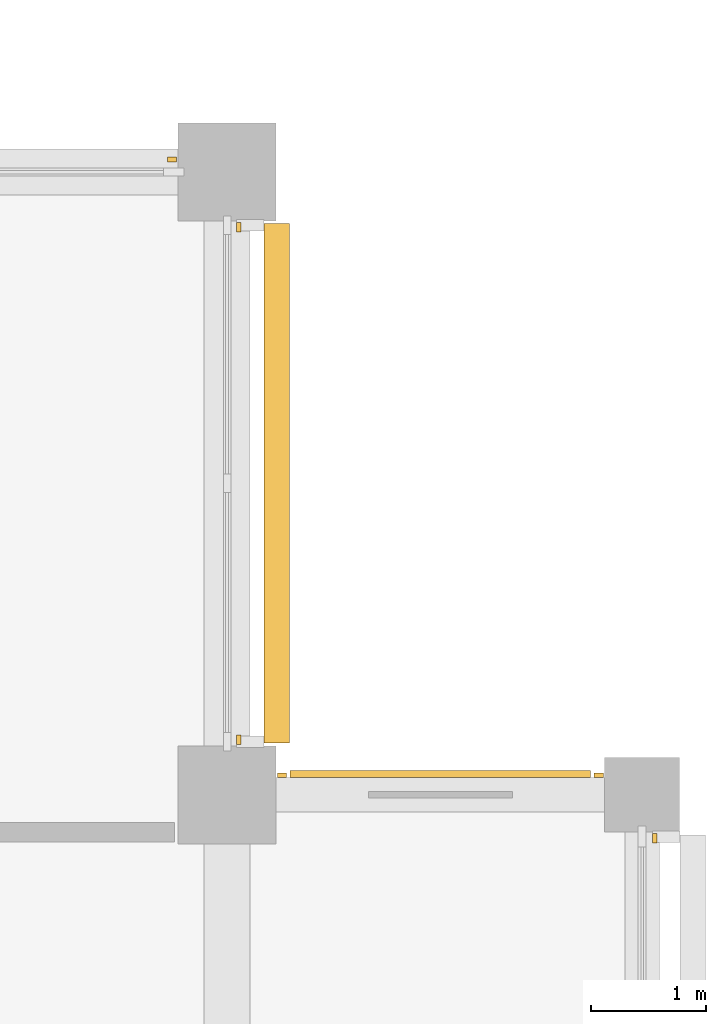
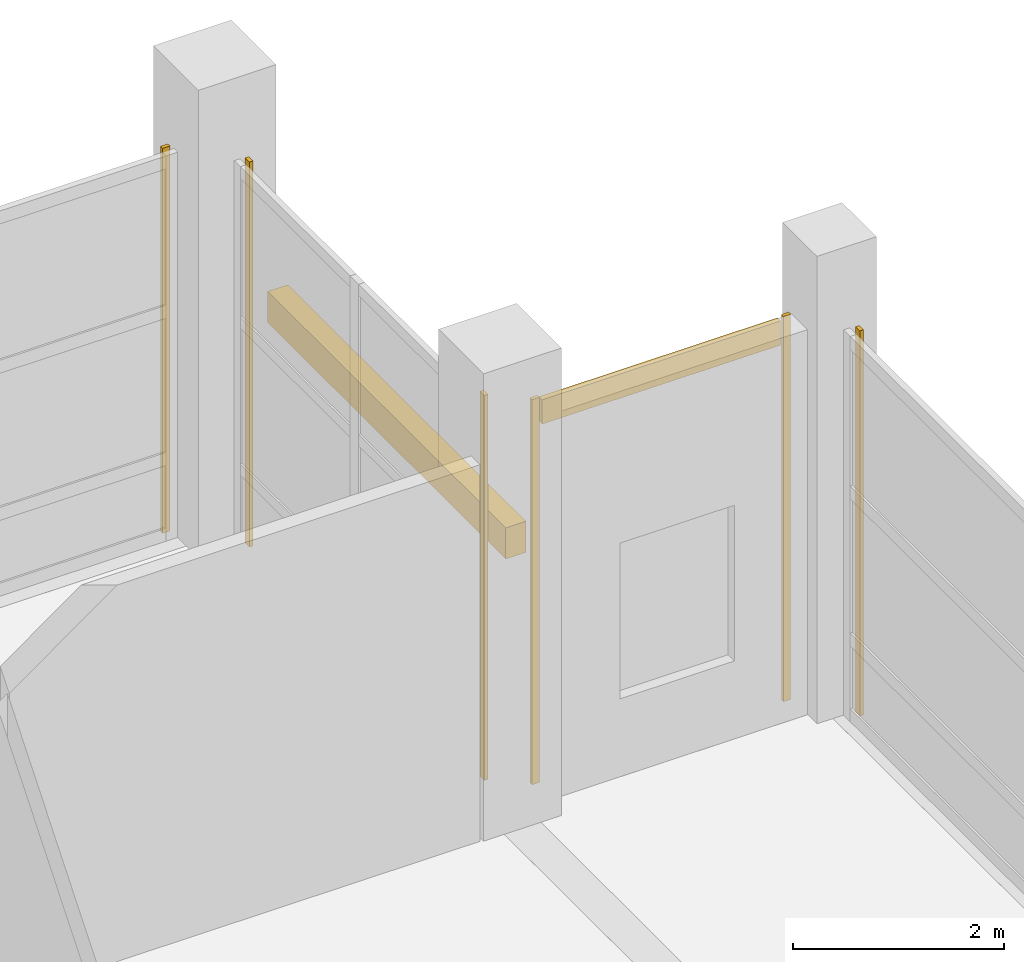
# One storey, part 139 of 140: 7 coverings, 1 shading device.
"""IFC4 building model written with IfcOpenShell, lengths in metres."""

import ifcopenshell
import ifcopenshell.guid

model = None  # the IFC model being written
_history = None  # IfcOwnerHistory: only IFC2X3 demands one
_inside = {}  # id of a spatial element -> (the spatial element, [elements in it])
_under = {}  # id of a project, library or spatial element -> (it, [spatial elements below it])
_declared = {}  # id of a project -> (the project, [libraries it declares])
_typed = {}  # id of a type object -> (the type object, [elements of that type])
_made_of = {}  # id of a material, layer set ... -> (it, [elements and type objects made of it])


def new_model(schema):
    """Start an empty IFC model of exactly this schema.

    Asked for "IFC4X3", IfcOpenShell would pick the latest addendum, in which some entities
    have other attributes; the version numbers below select the first issue.
    IFC2X3 requires an IfcOwnerHistory on every rooted entity: one is made here for all.
    """
    global model, _history
    if schema == "IFC4X3":
        model = ifcopenshell.file(schema_version=(4, 3, 0, 0))
    else:
        model = ifcopenshell.file(schema=schema)
    _inside.clear()
    _under.clear()
    _declared.clear()
    _typed.clear()
    _made_of.clear()
    _history = None
    if model.schema == "IFC2X3":
        org = make("IfcOrganization", Name="unknown")
        user = make(
            "IfcPersonAndOrganization",
            ThePerson=make("IfcPerson", FamilyName="unknown"),
            TheOrganization=org,
        )
        app = make(
            "IfcApplication",
            ApplicationDeveloper=org,
            Version="unknown",
            ApplicationFullName="unknown",
            ApplicationIdentifier="unknown",
        )
        _history = make(
            "IfcOwnerHistory",
            OwningUser=user,
            OwningApplication=app,
            ChangeAction="ADDED",
            CreationDate=0,
        )
    return model


def make(cls, **values):
    """One entity of the class cls with the attributes given. An attribute that is None is left unset."""
    return model.create_entity(
        cls, **{name: value for name, value in values.items() if value is not None}
    )


def rooted(cls, **values):
    """An entity with a GlobalId (a new one), such as an element, a storey or a relation."""
    return make(cls, GlobalId=ifcopenshell.guid.new(), OwnerHistory=_history, **values)


def si_unit(unit_type, name, prefix=None):
    """IfcSIUnit, for example si_unit("LENGTHUNIT", "METRE", prefix="MILLI")."""
    return make("IfcSIUnit", UnitType=unit_type, Prefix=prefix, Name=name)


def assignment(units):
    """IfcUnitAssignment: the units of a project."""
    return None if units is None else make("IfcUnitAssignment", Units=units)


def point(xyz):
    """IfcCartesianPoint."""
    return None if xyz is None else make("IfcCartesianPoint", Coordinates=xyz)


def direction(xyz):
    """IfcDirection."""
    return None if xyz is None else make("IfcDirection", DirectionRatios=xyz)


def frame(location, z_axis=None, x_axis=None):
    """IfcAxis2Placement3D, a coordinate frame: its origin and axes. An axis left out is left unset."""
    return make(
        "IfcAxis2Placement3D",
        Location=point(location),
        Axis=direction(z_axis),
        RefDirection=direction(x_axis),
    )


def frame_2d(location, x_axis=None):
    """IfcAxis2Placement2D, a coordinate frame in the plane: its origin and x axis."""
    return make(
        "IfcAxis2Placement2D", Location=point(location), RefDirection=direction(x_axis)
    )


def origin():
    """The frame at (0, 0, 0) with its axes left unset."""
    return frame((0.0, 0.0, 0.0))


def origin_2d():
    """The frame at (0, 0) in the plane with its x axis left unset."""
    return frame_2d((0.0, 0.0))


def place(relative_to, where):
    """IfcLocalPlacement: puts the frame where relative to a parent placement (None: the world)."""
    return make(
        "IfcLocalPlacement", PlacementRelTo=relative_to, RelativePlacement=where
    )


def context(
    kind, dimensions, precision=None, world=None, true_north=None, identifier=None
):
    """IfcGeometricRepresentationContext, for example the 3D "Model" context."""
    return make(
        "IfcGeometricRepresentationContext",
        ContextIdentifier=identifier,
        ContextType=kind,
        CoordinateSpaceDimension=dimensions,
        Precision=precision,
        WorldCoordinateSystem=world,
        TrueNorth=true_north,
    )


def subcontext(parent, identifier, kind, view, scale=None):
    """IfcGeometricRepresentationSubContext, for example "Body" below "Model"."""
    return make(
        "IfcGeometricRepresentationSubContext",
        ContextIdentifier=identifier,
        ContextType=kind,
        ParentContext=parent,
        TargetScale=scale,
        TargetView=view,
    )


def project(units=None, contexts=None):
    """IfcProject with its units and contexts."""
    return rooted(
        "IfcProject",
        Name="project",
        RepresentationContexts=contexts,
        UnitsInContext=assignment(units),
    )


def spatial(cls, under=None, at=None, **own):
    """A site, building, storey or space (cls), placed at a placement, below another one or the project."""
    s = rooted(cls, ObjectPlacement=at, **own)
    if under is not None:
        _under.setdefault(under.id(), (under, []))[1].append(s)
    return s


def profile(cls, at=None, kind="AREA", **sizes):
    """A parametric profile (cls). Its sizes go by their IFC names, for example OverallWidth=200.0."""
    return make(cls, ProfileType=kind, Position=at, **sizes)


def rectangle(**sizes):
    """IfcRectangleProfileDef."""
    return profile("IfcRectangleProfileDef", **sizes)


def extrude(swept, where, along, depth):
    """IfcExtrudedAreaSolid: the profile swept, set in the frame where, extruded along a direction by depth."""
    return make(
        "IfcExtrudedAreaSolid",
        SweptArea=swept,
        Position=where,
        ExtrudedDirection=direction(along),
        Depth=depth,
    )


def shape(context_of_items, identifier, shape_type, items):
    """IfcShapeRepresentation: the items that make up one representation, for example the "Body"."""
    return make(
        "IfcShapeRepresentation",
        ContextOfItems=context_of_items,
        RepresentationIdentifier=identifier,
        RepresentationType=shape_type,
        Items=items,
    )


def material(Name=None, Category=None):
    """IfcMaterial."""
    return make("IfcMaterial", Name=Name, Category=Category)


def layer(
    of_material, thickness, ventilated=None, Name=None, Category=None, Priority=None
):
    """IfcMaterialLayer: one layer of a wall or slab, of a material (None: an air gap)."""
    return make(
        "IfcMaterialLayer",
        Material=of_material,
        LayerThickness=thickness,
        IsVentilated=ventilated,
        Name=Name,
        Category=Category,
        Priority=Priority,
    )


def layer_set(layers, Name=None):
    """IfcMaterialLayerSet."""
    return make("IfcMaterialLayerSet", MaterialLayers=layers, LayerSetName=Name)


def made_of(thing, what):
    """Note that an element or type object is made of a material, layer set ...; save() writes the relation."""
    if what is not None:
        _made_of.setdefault(what.id(), (what, []))[1].append(thing)
    return thing


def type_object(cls, material=None, **own):
    """A type object (cls), such as IfcWallType, which elements share."""
    return made_of(rooted(cls, **own), material)


def element(
    cls,
    number,
    at=None,
    inside=None,
    cuts=None,
    type_object=None,
    material=None,
    context=None,
    identifier="Body",
    shape_type=None,
    held_by="IfcProductDefinitionShape",
    body=None,
    shapes=None,
    **own,
):
    """One element of the class cls, such as IfcWall. Its Tag is "e" and its number.

    at: its placement. inside: the storey or other place that contains it. cuts: it is an
    opening in that element (IfcRelVoidsElement). A single representation is given by context,
    identifier, shape_type and body (its items); several are given by shapes. held_by: the class
    of the entity that holds the representations. save() writes the other relations.
    """
    e = rooted(cls, Tag="e%d" % number, ObjectPlacement=at, **own)
    if body is not None:
        shapes = [shape(context, identifier, shape_type, body)]
    if shapes is not None:
        e.Representation = make(held_by, Representations=shapes)
    if inside is not None:
        _inside.setdefault(inside.id(), (inside, []))[1].append(e)
    if cuts is not None:
        rooted(
            "IfcRelVoidsElement", RelatingBuildingElement=cuts, RelatedOpeningElement=e
        )
    if type_object is not None:
        _typed.setdefault(type_object.id(), (type_object, []))[1].append(e)
    return made_of(e, material)


def aggregate(whole, parts):
    """IfcRelAggregates: a whole, such as a stair, and the parts it consists of."""
    return rooted("IfcRelAggregates", RelatingObject=whole, RelatedObjects=parts)


def save(model, path):
    """Write the relations noted so far, then the file.

    IfcRelAggregates (storeys below a building ...), IfcRelContainedInSpatialStructure (elements
    in a storey), IfcRelDefinesByType, IfcRelAssociatesMaterial and IfcRelDeclares: one each for
    every whole, place, type object, material and project.
    """
    for whole, parts in _under.values():
        aggregate(whole, parts)
    for where, things in _inside.values():
        rooted(
            "IfcRelContainedInSpatialStructure",
            RelatedElements=things,
            RelatingStructure=where,
        )
    for kind, things in _typed.values():
        rooted("IfcRelDefinesByType", RelatedObjects=things, RelatingType=kind)
    for what, things in _made_of.values():
        rooted("IfcRelAssociatesMaterial", RelatedObjects=things, RelatingMaterial=what)
    for by, libraries in _declared.values():
        rooted("IfcRelDeclares", RelatingContext=by, RelatedDefinitions=libraries)
    model.write(path)


model = new_model("IFC4")

# Units and contexts
model_context = context("Model", 3, precision=1e-05, world=origin(), true_north=direction((0.0, 1.0)))
body_context = subcontext(model_context, "Body", "Model", "MODEL_VIEW")
ifc_project = project(units=[si_unit("LENGTHUNIT", "METRE"), si_unit("AREAUNIT", "SQUARE_METRE"), si_unit("VOLUMEUNIT", "CUBIC_METRE"), si_unit("PLANEANGLEUNIT", "RADIAN"), si_unit("MASSUNIT", "GRAM", prefix="KILO")], contexts=[model_context])

# Site, building, storey
site_placement = place(None, origin())
site = spatial("IfcSite", under=ifc_project, at=site_placement, CompositionType="ELEMENT")
building_placement = place(site_placement, origin())
building = spatial("IfcBuilding", under=site, at=building_placement, Name="Telukmera Botanical Conservatory", CompositionType="ELEMENT")
storey_placement = place(building_placement, origin())
storey = spatial("IfcBuildingStorey", under=building, at=storey_placement, Name="L00", CompositionType="ELEMENT", Elevation=0.0)

# Coverings
ifc_material_1 = material(Name="Granite-faced precast concrete C40/50", Category="masonry")
ifc_layer_1 = layer(ifc_material_1, 0.0400390625)
ifc_layer_set_1 = layer_set([ifc_layer_1], Name="Granite-faced precast concrete C40/50")
covering_type_1 = type_object("IfcCoveringType", Name="Granite Precast Column Pier Reveal Casing", PredefinedType="CLADDING", material=ifc_layer_set_1)
for number, where, z_axis, x_axis, name in (
    (1, (168.47705078125, 42.969970703125, 0.0), (0.0, 0.0, 1.0), (1.0, 0.0, 0.0), "Granite Pier Reveal V1:L00:EN L"),
    (2, (171.222900390625, 42.969970703125, 0.0), (0.0, 0.0, 1.0), (1.0, 0.0, 0.0), "Granite Pier Reveal V1:L00:EN R"),
    (3, (167.52294921875, 48.31005859375, 0.0), (0.0, 0.0, 1.0), (1.0, 0.0, 0.0), "Granite Pier Reveal V1:L00:N6 R"),
    (4, (171.7099609375, 42.423095703125, 0.0), (0.0, 0.0, 1.0), (0.0, 1.0, 0.0), "Granite Pier Reveal V1:L00:E3 R"),
    (5, (168.10009765625, 43.277099609375, 0.0), (0.0, 0.0, 1.0), (0.0, 1.0, 0.0), "Granite Pier Reveal V1:L00:E4 L"),
    (6, (168.10009765625, 47.722900390625, 0.0), (0.0, 0.0, 1.0), (0.0, 1.0, 0.0), "Granite Pier Reveal V1:L00:E4 R"),
):
    element("IfcCovering", number, at=place(storey_placement, frame(where, z_axis=z_axis, x_axis=x_axis)), inside=storey, type_object=covering_type_1, Name=name, PredefinedType="CLADDING", context=body_context, shape_type="SweptSolid", body=[
        extrude(rectangle(XDim=0.080078125, YDim=0.0400390625, at=origin_2d()), origin(), (0.0, 0.0, 1.0), 4.449951171875),
    ])

# Shading device
ifc_material_2 = material(Name="Perforated terracotta-anodised aluminium 6063-T6", Category="masonry")
ifc_layer_2 = layer(ifc_material_2, 0.050048828125)
ifc_layer_set_2 = layer_set([ifc_layer_2], Name="Perforated terracotta-anodised aluminium 6063-T6")
shading_device_type = type_object("IfcShadingDeviceType", Name="Operable Monsoon Solar Louvre Shutter Bank", PredefinedType="SHUTTER", material=ifc_layer_set_2)
shading_device_placement = place(storey_placement, frame((168.429931640625, 45.5, 2.4697265625), z_axis=(0.0, 0.0, 1.0), x_axis=(0.0, 1.0, 0.0)))
element("IfcShadingDevice", 7, at=shading_device_placement, inside=storey, type_object=shading_device_type, Name="Monsoon Shading SH01 V1:L00:E4", PredefinedType="SHUTTER", context=body_context, shape_type="SweptSolid", body=[
    extrude(rectangle(XDim=4.506103515625, YDim=0.219970703125, at=origin_2d()), origin(), (0.0, 0.0, 1.0), 0.360107421875),
])

# Covering
ifc_material_3 = material(Name="Terracotta-faced precast concrete C40/50", Category="masonry")
ifc_layer_3 = layer(ifc_material_3, 0.06005859375)
ifc_layer_set_3 = layer_set([ifc_layer_3], Name="Terracotta-faced precast concrete C40/50")
covering_type_2 = type_object("IfcCoveringType", Name="Polychrome Terracotta Facade Band Cladding", PredefinedType="CLADDING", material=ifc_layer_set_3)
covering_placement = place(storey_placement, frame((169.85009765625, 42.97998046875, 4.1298828125), z_axis=(0.0, 0.0, 1.0), x_axis=(1.0, 0.0, 0.0)))
element("IfcCovering", 8, at=covering_placement, inside=storey, type_object=covering_type_2, Name="Polychrome Terracotta Band V1:L00:EN", PredefinedType="CLADDING", context=body_context, shape_type="SweptSolid", body=[
    extrude(rectangle(XDim=2.60595703125, YDim=0.06005859375, at=origin_2d()), origin(), (0.0, 0.0, 1.0), 0.280029296875),
])

save(model, "model.ifc")
